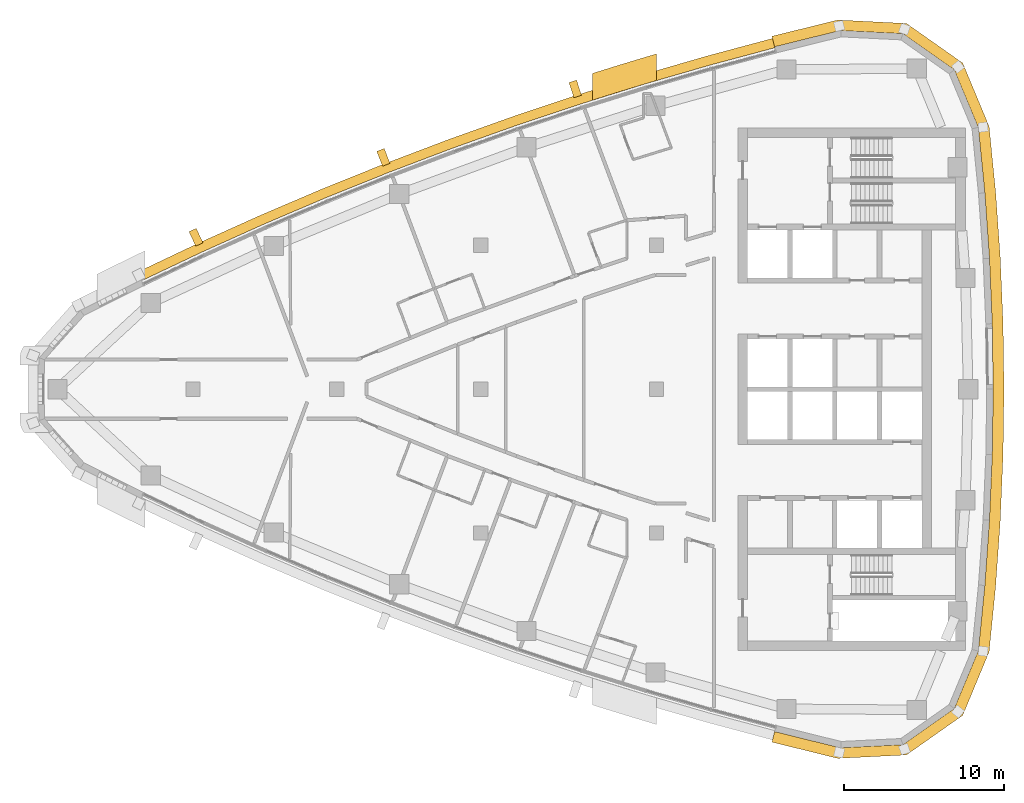
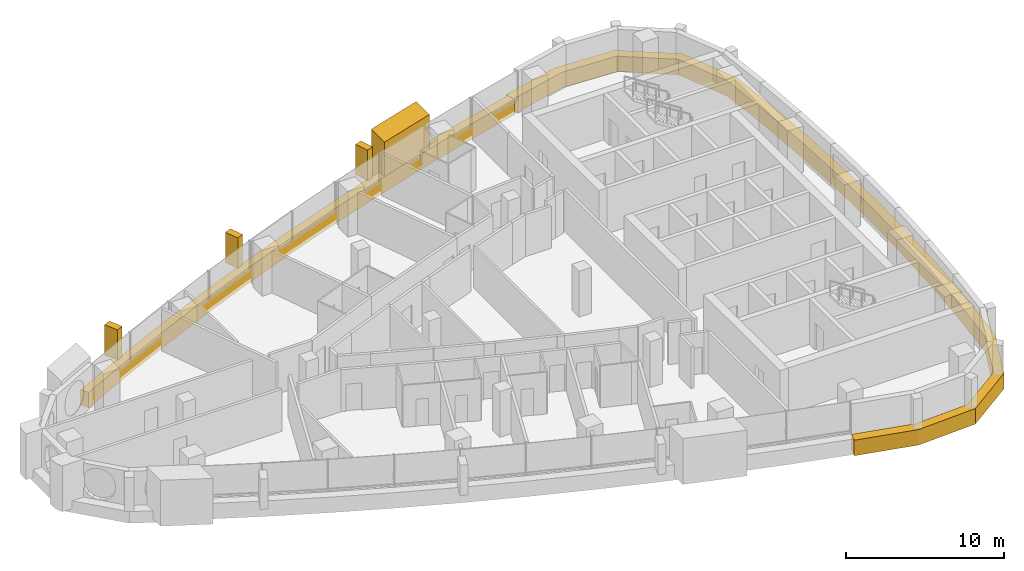
# One storey, part 15 of 16: 6 coverings.
"""IFC4 building model written with IfcOpenShell, lengths in metres."""

from ifc_helpers import new_model, si_unit, direction, frame, frame_2d, origin, place, context, subcontext, project, spatial, polyline, rectangle, outline, extrude, material, layer, layer_set, type_object, element, save


model = new_model("IFC4")

# Units and contexts
model_context = context("Model", 3, precision=1e-05, world=origin(), true_north=direction((0.0, 1.0)))
body_context = subcontext(model_context, "Body", "Model", "MODEL_VIEW")
ifc_project = project(units=[si_unit("LENGTHUNIT", "METRE"), si_unit("AREAUNIT", "SQUARE_METRE"), si_unit("VOLUMEUNIT", "CUBIC_METRE"), si_unit("PLANEANGLEUNIT", "RADIAN"), si_unit("MASSUNIT", "GRAM", prefix="KILO")], contexts=[model_context])

# Site, building, storey
site_placement = place(None, origin())
site = spatial("IfcSite", under=ifc_project, at=site_placement, CompositionType="ELEMENT")
building_placement = place(site_placement, origin())
building = spatial("IfcBuilding", under=site, at=building_placement, Name="Ostrand Prow Hotel Tower", CompositionType="ELEMENT")
storey_placement = place(building_placement, frame((0.0, 0.0, 224.35009765625)))
storey = spatial("IfcBuildingStorey", under=building, at=storey_placement, Name="L56", CompositionType="ELEMENT", Elevation=224.35009765625)

# Coverings
ifc_material_1 = material(Name="Bronze anodised aluminium cladding", Category="aluminium")
ifc_layer_1 = layer(ifc_material_1, 0.60009765625)
ifc_layer_set_1 = layer_set([ifc_layer_1], Name="Bronze anodised aluminium cladding")
covering_type_1 = type_object("IfcCoveringType", Name="Bronze spandrel band 1200x600", PredefinedType="CLADDING", material=ifc_layer_set_1)
covering_1_placement = place(storey_placement, frame((0.0, 0.0, -0.300048828125)))
element("IfcCovering", 1, at=covering_1_placement, inside=storey, type_object=covering_type_1, Name="Spandrel band N1", PredefinedType="CLADDING", context=body_context, shape_type="SweptSolid", body=[
    extrude(outline(polyline([(52.256591796875, 21.944580078125), (48.16064453125, 20.846435546875), (44.087890625, 19.665771484375), (40.039306640625, 18.403564453125), (36.017333984375, 17.059814453125), (32.02294921875, 15.635498046875), (28.058349609375, 14.131103515625), (24.12451171875, 12.547119140625), (20.2236328125, 10.88427734375), (16.35693359375, 9.14306640625), (12.526123046875, 7.324462890625), (12.788818359375, 6.784912109375), (16.60888671875, 8.598388671875), (20.464599609375, 10.334716796875), (24.354248046875, 11.992919921875), (28.27685546875, 13.572265625), (32.230224609375, 15.072509765625), (36.213134765625, 16.49267578125), (40.223876953125, 17.83251953125), (44.260498046875, 19.09130859375), (48.322021484375, 20.268310546875), (52.40625, 21.363525390625), (52.256591796875, 21.944580078125)])), origin(), (0.0, 0.0, 1.0), 1.199951171875),
])
covering_2_placement = place(storey_placement, frame((0.0, 0.0, -0.300048828125)))
element("IfcCovering", 2, at=covering_2_placement, inside=storey, type_object=covering_type_1, Name="Spandrel band back 1", PredefinedType="CLADDING", context=body_context, shape_type="SweptSolid", body=[
    extrude(outline(polyline([(52.22119140625, -22.081787109375), (56.34130859375, -23.09814453125), (60.638671875, -22.8837890625), (64.15771484375, -20.408447265625), (65.81201171875, -16.4365234375), (66.218505859375, -12.3388671875), (66.509033203125, -8.2314453125), (66.68359375, -4.117431640625), (66.74169921875, 0.0), (66.68359375, 4.117431640625), (66.509033203125, 8.2314453125), (66.218505859375, 12.3388671875), (65.81201171875, 16.4365234375), (64.15771484375, 20.408447265625), (60.638671875, 22.8837890625), (56.34130859375, 23.09814453125), (52.22119140625, 22.081787109375), (52.390869140625, 21.42333984375), (56.49755859375, 22.436279296875), (60.417236328125, 22.240966796875), (63.62744140625, 19.98291015625), (65.13623046875, 16.35986328125), (65.541015625, 12.281494140625), (65.830078125, 8.193115234375), (66.00390625, 4.09814453125), (66.061767578125, 0.0), (66.00390625, -4.09814453125), (65.830078125, -8.193115234375), (65.541015625, -12.281494140625), (65.13623046875, -16.35986328125), (63.62744140625, -19.98291015625), (60.417236328125, -22.240966796875), (56.49755859375, -22.436279296875), (52.390869140625, -21.42333984375), (52.22119140625, -22.081787109375)])), origin(), (0.0, 0.0, 1.0), 1.199951171875),
])
ifc_material_2 = material(Name="Limestone cladding", Category="masonry")
ifc_layer_2 = layer(ifc_material_2, 5.0)
ifc_layer_set_2 = layer_set([ifc_layer_2], Name="Limestone cladding")
covering_type_2 = type_object("IfcCoveringType", Name="Portal jamb pilaster limestone", PredefinedType="CLADDING", material=ifc_layer_set_2)
covering_3_placement = place(storey_placement, origin())
element("IfcCovering", 3, at=covering_3_placement, inside=storey, type_object=covering_type_2, Name="Portal jamb NB L56", PredefinedType="CLADDING", context=body_context, shape_type="SweptSolid", body=[
    extrude(outline(polyline([(41.0, 18.08154296875), (42.0, 18.3974609375), (43.0, 18.707763671875), (44.0, 19.0126953125), (45.0, 19.312255859375), (45.0, 20.980712890625), (44.0, 20.68359375), (43.0, 20.381103515625), (42.0, 20.0732421875), (41.0, 19.760009765625), (41.0, 18.08154296875)])), origin(), (0.0, 0.0, 1.0), 3.5498046875),
])
ifc_material_3 = material(Name="Limestone cladding", Category="masonry")
ifc_layer_3 = layer(ifc_material_3, 0.5)
ifc_layer_set_3 = layer_set([ifc_layer_3], Name="Limestone cladding")
covering_type_3 = type_object("IfcCoveringType", Name="Precast stone fin 500x900", PredefinedType="CLADDING", material=ifc_layer_set_3)
covering_4_placement = place(storey_placement, frame((40.070068359375, 18.308349609375, 0.89990234375), z_axis=(0.0, 0.0, 1.0), x_axis=(-0.307352263966, 0.951595810118, 0.0)))
element("IfcCovering", 4, at=covering_4_placement, inside=storey, type_object=covering_type_3, Name="Stone fin N 4", PredefinedType="CLADDING", context=body_context, shape_type="SweptSolid", body=[
    extrude(rectangle(XDim=1.0, YDim=0.5, at=frame_2d((0.5, 0.0))), origin(), (0.0, 0.0, 1.0), 2.35009765625),
])
covering_5_placement = place(storey_placement, frame((28.0947265625, 14.0380859375, 0.89990234375), z_axis=(0.0, 0.0, 1.0), x_axis=(-0.364307281276, 0.931278800795, 0.0)))
element("IfcCovering", 5, at=covering_5_placement, inside=storey, type_object=covering_type_3, Name="Stone fin N 7", PredefinedType="CLADDING", context=body_context, shape_type="SweptSolid", body=[
    extrude(rectangle(XDim=0.999755859375, YDim=0.5, at=frame_2d((0.5, 0.0))), origin(), (0.0, 0.0, 1.0), 2.35009765625),
])
covering_6_placement = place(storey_placement, frame((16.39892578125, 9.05224609375, 0.89990234375), z_axis=(0.0, 0.0, 1.0), x_axis=(-0.419661863421, 0.907680516696, 0.0)))
element("IfcCovering", 6, at=covering_6_placement, inside=storey, type_object=covering_type_3, Name="Stone fin N 10", PredefinedType="CLADDING", context=body_context, shape_type="SweptSolid", body=[
    extrude(rectangle(XDim=1.0, YDim=0.5, at=frame_2d((0.5, 0.0))), origin(), (0.0, 0.0, 1.0), 2.35009765625),
])

save(model, "model.ifc")
